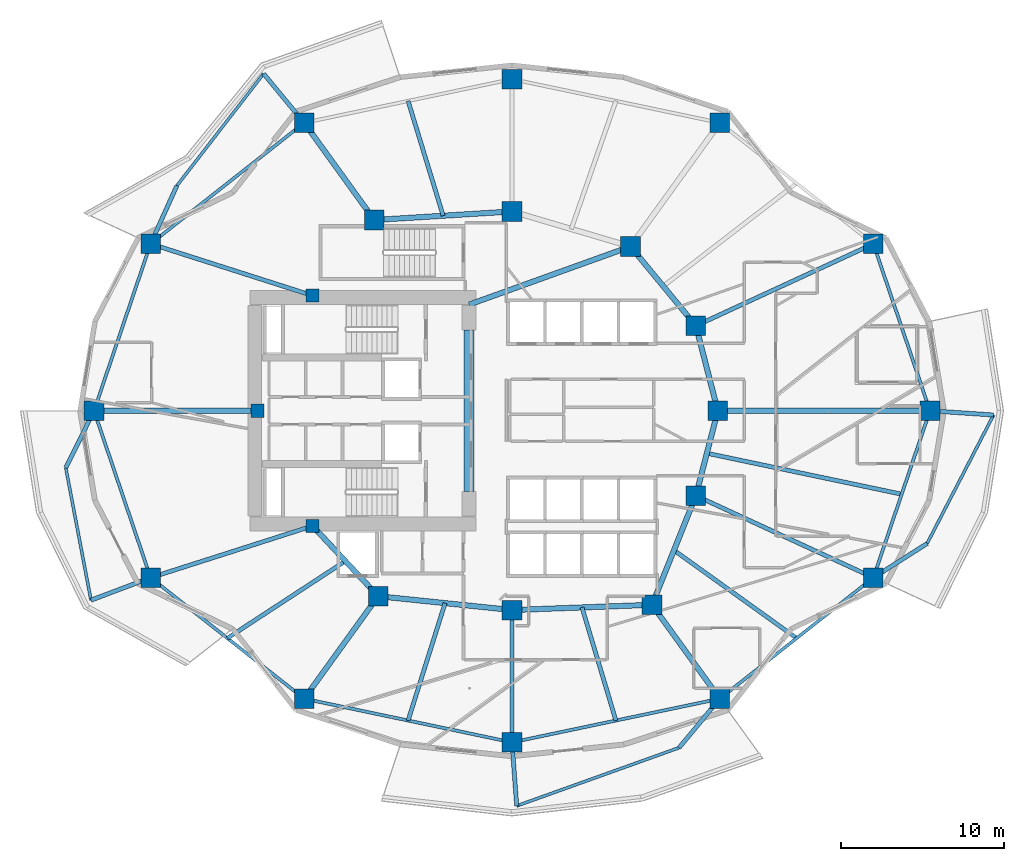
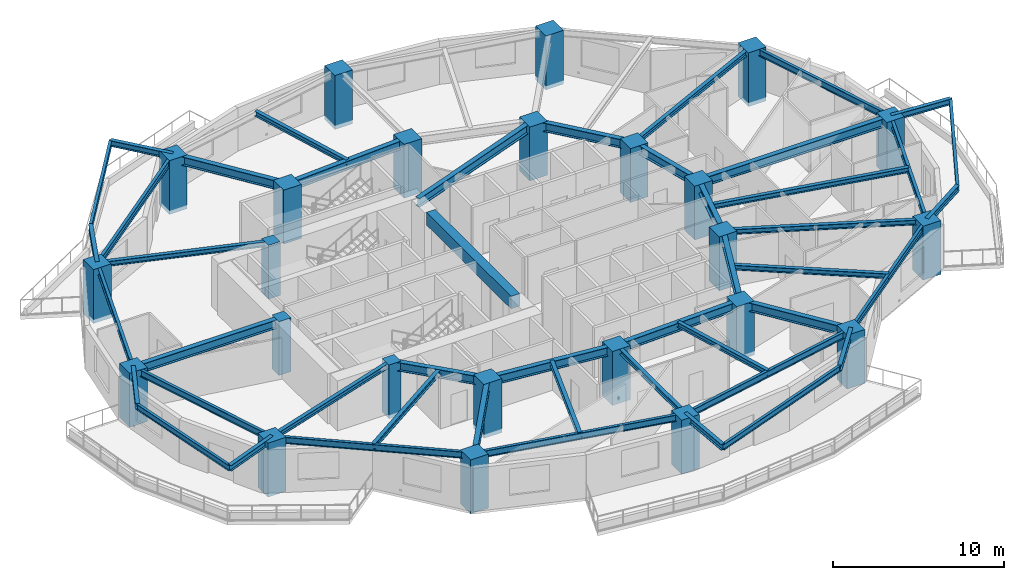
# One storey, part 1 of 16: 47 beams, 24 columns.
"""IFC4 building model written with IfcOpenShell, lengths in metres."""

from ifc_helpers import new_model, si_unit, direction, frame, origin, origin_2d, place, context, subcontext, project, spatial, rectangle, i_section, extrude, material, material_profile, profile_set, type_object, element, save


model = new_model("IFC4")

# Units and contexts
model_context = context("Model", 3, precision=1e-05, world=origin(), true_north=direction((0.0, 1.0)))
body_context = subcontext(model_context, "Body", "Model", "MODEL_VIEW")
ifc_project = project(units=[si_unit("LENGTHUNIT", "METRE"), si_unit("AREAUNIT", "SQUARE_METRE"), si_unit("VOLUMEUNIT", "CUBIC_METRE"), si_unit("PLANEANGLEUNIT", "RADIAN"), si_unit("MASSUNIT", "GRAM", prefix="KILO")], contexts=[model_context])

# Site, building, storey
site_placement = place(None, origin())
site = spatial("IfcSite", under=ifc_project, at=site_placement, CompositionType="ELEMENT")
building_placement = place(site_placement, origin())
building = spatial("IfcBuilding", under=site, at=building_placement, Name="Kolvaren Gate Tower and Convention Centre", CompositionType="ELEMENT")
storey_placement = place(building_placement, frame((0.0, 0.0, 65.0)))
storey = spatial("IfcBuildingStorey", under=building, at=storey_placement, Name="L15", CompositionType="ELEMENT", Elevation=65.0)

# Columns
ifc_material_1 = material(Name="Concrete C70/85", Category="concrete")
ifc_material_profile_1 = material_profile(ifc_material_1, rectangle(XDim=1.199951171875, YDim=1.199951171875, at=origin_2d()), Name="RC-COL-1200X1200")
ifc_profile_set_1 = profile_set([ifc_material_profile_1], Name="Concrete C70/85")
column_type_1 = type_object("IfcColumnType", Name="STR-COL-RC1200", PredefinedType="COLUMN", material=ifc_profile_set_1)
for number, where, z_axis, x_axis, name in (
    (1, (55.71240234375, 27.0, -0.280029296875), (0.0, 0.0, 1.0), (1.0, 0.0, 0.0), "Tower L15 Perimeter Supercolumn TP-01"),
    (2, (52.248779296875, 37.218505859375, -0.280029296875), (0.0, 0.0, 1.0), (1.0, 0.0, 0.0), "Tower L15 Perimeter Supercolumn TP-02"),
    (3, (42.846435546875, 44.627197265625, -0.280029296875), (0.0, 0.0, 1.0), (1.0, 0.0, 0.0), "Tower L15 Perimeter Supercolumn TP-03"),
    (4, (30.125, 47.300048828125, -0.280029296875), (0.0, 0.0, 1.0), (1.0, 0.0, 0.0), "Tower L15 Perimeter Supercolumn TP-04"),
    (5, (17.40380859375, 44.627197265625, -0.280029296875), (0.0, 0.0, 1.0), (1.0, 0.0, 0.0), "Tower L15 Perimeter Supercolumn TP-05"),
    (6, (8.001220703125, 37.218505859375, -0.280029296875), (0.0, 0.0, 1.0), (1.0, 0.0, 0.0), "Tower L15 Perimeter Supercolumn TP-06"),
    (7, (4.53759765625, 27.0, -0.280029296875), (0.0, 0.0, 1.0), (1.0, 0.0, 0.0), "Tower L15 Perimeter Supercolumn TP-07"),
    (8, (8.001220703125, 16.781494140625, -0.280029296875), (0.0, 0.0, 1.0), (1.0, 0.0, 0.0), "Tower L15 Perimeter Supercolumn TP-08"),
    (9, (17.403564453125, 9.372802734375, -0.280029296875), (0.0, 0.0, 1.0), (1.0, 0.0, 0.0), "Tower L15 Perimeter Supercolumn TP-09"),
    (10, (30.125, 6.699951171875, -0.280029296875), (0.0, 0.0, 1.0), (1.0, 0.0, 0.0), "Tower L15 Perimeter Supercolumn TP-10"),
    (11, (42.846435546875, 9.372802734375, -0.280029296875), (0.0, 0.0, 1.0), (1.0, 0.0, 0.0), "Tower L15 Perimeter Supercolumn TP-11"),
    (12, (52.248779296875, 16.781494140625, -0.280029296875), (0.0, 0.0, 1.0), (1.0, 0.0, 0.0), "Tower L15 Perimeter Supercolumn TP-12"),
    (13, (42.72509765625, 27.0, -0.280029296875), (0.0, 0.0, 1.0), (1.0, 0.0, 0.0), "Tower L15 Interior Column TI-01"),
    (14, (41.382080078125, 32.199462890625, -0.280029296875), (0.0, 0.0, 1.0), (1.0, 0.0, 0.0), "Tower L15 Interior Column TI-02"),
    (15, (37.381591796875, 37.054931640625, -0.280029296875), (0.0, 0.0, 1.0), (1.0, 0.0, 0.0), "Tower L15 Interior Column TI-03"),
    (16, (30.125, 39.199951171875, -0.280029296875), (0.0, 0.0, 1.0), (1.0, 0.0, 0.0), "Tower L15 Interior Column TI-04"),
    (17, (21.697998046875, 38.6767578125, -0.280029296875), (0.0, 0.0, 1.0), (1.0, 0.0, 0.0), "Tower L15 Interior Column TI-05"),
    (18, (21.93212890625, 15.647705078125, -0.280029296875), (0.0, 0.0, 1.0), (1.0, 0.0, 0.0), "Tower L15 Interior Column TI-06"),
    (19, (30.125, 14.800048828125, -0.280029296875), (0.0, 0.0, 1.0), (1.0, 0.0, 0.0), "Tower L15 Interior Column TI-07"),
    (20, (38.6982421875, 15.12060546875, -0.280029296875), (0.0, 0.0, 1.0), (1.0, 0.0, 0.0), "Tower L15 Interior Column TI-08"),
    (21, (41.382080078125, 21.800537109375, -0.280029296875), (0.0, 0.0, 1.0), (1.0, 0.0, 0.0), "Tower L15 Interior Column TI-09"),
):
    element("IfcColumn", number, at=place(storey_placement, frame(where, z_axis=z_axis, x_axis=x_axis)), inside=storey, type_object=column_type_1, Name=name, PredefinedType="COLUMN", context=body_context, shape_type="SweptSolid", body=[
        extrude(rectangle(XDim=1.199951171875, YDim=1.199951171875, at=origin_2d()), origin(), (0.0, 0.0, 1.0), 3.85009765625),
    ])
ifc_material_2 = material(Name="Concrete C60/75", Category="concrete")
ifc_material_profile_2 = material_profile(ifc_material_2, rectangle(XDim=0.800048828125, YDim=0.800048828125, at=origin_2d()), Name="RC-COL-800X800")
ifc_profile_set_2 = profile_set([ifc_material_profile_2], Name="Concrete C60/75")
column_type_2 = type_object("IfcColumnType", Name="STR-PIL-RC800", PredefinedType="PILASTER", material=ifc_profile_set_2)
for number, where, z_axis, x_axis, name in (
    (22, (17.9140625, 34.050048828125, -0.280029296875), (0.0, 0.0, 1.0), (1.0, 0.0, 0.0), "Tower L15 Core Boundary Pilaster TC-05"),
    (23, (14.550048828125, 27.0, -0.280029296875), (0.0, 0.0, 1.0), (1.0, 0.0, 0.0), "Tower L15 Core Boundary Pilaster TC-06"),
    (24, (17.9140625, 19.949951171875, -0.280029296875), (0.0, 0.0, 1.0), (1.0, 0.0, 0.0), "Tower L15 Core Boundary Pilaster TC-07"),
):
    element("IfcColumn", number, at=place(storey_placement, frame(where, z_axis=z_axis, x_axis=x_axis)), inside=storey, type_object=column_type_2, Name=name, PredefinedType="PILASTER", context=body_context, shape_type="SweptSolid", body=[
        extrude(rectangle(XDim=0.800048828125, YDim=0.800048828125, at=origin_2d()), origin(), (0.0, 0.0, 1.0), 3.85009765625),
    ])

# Beams
ifc_material_3 = material(Name="Structural steel ASTM A992 Grade 345 MPa", Category="steel")
ifc_material_profile_3 = material_profile(ifc_material_3, i_section(OverallWidth=0.260009765625, OverallDepth=0.419921875, WebThickness=0.013427734375, FlangeThickness=0.0224609375, at=origin_2d()), Name="W410X132")
ifc_profile_set_3 = profile_set([ifc_material_profile_3], Name="Structural steel ASTM A992 Grade 345 MPa")
beam_type_1 = type_object("IfcBeamType", Name="STR-BM-W410X132", PredefinedType="BEAM", material=ifc_profile_set_3)
beam_1_placement = place(storey_placement, frame((17.40380859375, 44.627197265625, 3.360595703125), z_axis=(-0.637082027361, 0.770796010896, 0.0), x_axis=(-0.770796010896, -0.637082027361, 0.0)))
element("IfcBeam", 25, at=beam_1_placement, inside=storey, type_object=beam_type_1, Name="Tower L16 Planted Balcony Outrigger Cantilever BC-1A", PredefinedType="BEAM", context=body_context, shape_type="SweptSolid", body=[
    extrude(i_section(OverallWidth=0.260009765625, OverallDepth=0.419921875, WebThickness=0.013427734375, FlangeThickness=0.0224609375, at=origin_2d()), origin(), (0.0, 0.0, 1.0), 3.89990234375),
])
beam_2_placement = place(storey_placement, frame((8.001220703125, 37.218505859375, 3.360595703125), z_axis=(0.411967423592, 0.911198574351, 0.0), x_axis=(-0.911198574351, 0.411967423592, 0.0)))
element("IfcBeam", 26, at=beam_2_placement, inside=storey, type_object=beam_type_1, Name="Tower L16 Planted Balcony Outrigger Cantilever BC-1B", PredefinedType="BEAM", context=body_context, shape_type="SweptSolid", body=[
    extrude(i_section(OverallWidth=0.260009765625, OverallDepth=0.419921875, WebThickness=0.013427734375, FlangeThickness=0.0224609375, at=origin_2d()), origin(), (0.0, 0.0, 1.0), 3.900146484375),
])
beam_3_placement = place(storey_placement, frame((4.53759765625, 27.0, 3.360595703125), z_axis=(-0.442775963142, -0.896632280516, 0.0), x_axis=(0.896632280516, -0.442775963142, 0.0)))
element("IfcBeam", 27, at=beam_3_placement, inside=storey, type_object=beam_type_1, Name="Tower L16 Planted Balcony Outrigger Cantilever BC-2A", PredefinedType="BEAM", context=body_context, shape_type="SweptSolid", body=[
    extrude(i_section(OverallWidth=0.260009765625, OverallDepth=0.419921875, WebThickness=0.013427734375, FlangeThickness=0.0224609375, at=origin_2d()), origin(), (0.0, 0.0, 1.0), 3.89990234375),
])
beam_4_placement = place(storey_placement, frame((8.001220703125, 16.781494140625, 3.360595703125), z_axis=(-0.935601718951, -0.353057252434, 0.0), x_axis=(0.353057252434, -0.935601718951, 0.0)))
element("IfcBeam", 28, at=beam_4_placement, inside=storey, type_object=beam_type_1, Name="Tower L16 Planted Balcony Outrigger Cantilever BC-2B", PredefinedType="BEAM", context=body_context, shape_type="SweptSolid", body=[
    extrude(i_section(OverallWidth=0.260009765625, OverallDepth=0.419921875, WebThickness=0.013427734375, FlangeThickness=0.0224609375, at=origin_2d()), origin(), (0.0, 0.0, 1.0), 3.900146484375),
])
beam_5_placement = place(storey_placement, frame((30.125, 6.699951171875, 3.360595703125), z_axis=(0.074182982185, -0.997244646591, 0.0), x_axis=(0.997244646591, 0.074182982185, 0.0)))
element("IfcBeam", 29, at=beam_5_placement, inside=storey, type_object=beam_type_1, Name="Tower L16 Planted Balcony Outrigger Cantilever BC-3A", PredefinedType="BEAM", context=body_context, shape_type="SweptSolid", body=[
    extrude(i_section(OverallWidth=0.260009765625, OverallDepth=0.419921875, WebThickness=0.013427734375, FlangeThickness=0.0224609375, at=origin_2d()), origin(), (0.0, 0.0, 1.0), 3.89990234375),
])
beam_6_placement = place(storey_placement, frame((42.846435546875, 9.372802734375, 3.360595703125), z_axis=(-0.639069265421, -0.769149188386, 0.0), x_axis=(0.769149188386, -0.639069265421, 0.0)))
element("IfcBeam", 30, at=beam_6_placement, inside=storey, type_object=beam_type_1, Name="Tower L16 Planted Balcony Outrigger Cantilever BC-3B", PredefinedType="BEAM", context=body_context, shape_type="SweptSolid", body=[
    extrude(i_section(OverallWidth=0.260009765625, OverallDepth=0.419921875, WebThickness=0.013427734375, FlangeThickness=0.0224609375, at=origin_2d()), origin(), (0.0, 0.0, 1.0), 3.900146484375),
])
beam_7_placement = place(storey_placement, frame((52.248779296875, 16.781494140625, 3.360595703125), z_axis=(0.843548050681, 0.537053708853, 0.0), x_axis=(-0.537053708853, 0.843548050681, 0.0)))
element("IfcBeam", 31, at=beam_7_placement, inside=storey, type_object=beam_type_1, Name="Tower L16 Planted Balcony Outrigger Cantilever BC-4A", PredefinedType="BEAM", context=body_context, shape_type="SweptSolid", body=[
    extrude(i_section(OverallWidth=0.260009765625, OverallDepth=0.419921875, WebThickness=0.013427734375, FlangeThickness=0.0224609375, at=origin_2d()), origin(), (0.0, 0.0, 1.0), 3.89990234375),
])
beam_8_placement = place(storey_placement, frame((55.71240234375, 27.0, 3.360595703125), z_axis=(0.997745931522, -0.067104814517, 0.0), x_axis=(0.067104814517, 0.997745931522, 0.0)))
element("IfcBeam", 32, at=beam_8_placement, inside=storey, type_object=beam_type_1, Name="Tower L16 Planted Balcony Outrigger Cantilever BC-4B", PredefinedType="BEAM", context=body_context, shape_type="SweptSolid", body=[
    extrude(i_section(OverallWidth=0.260009765625, OverallDepth=0.419921875, WebThickness=0.013427734375, FlangeThickness=0.0224609375, at=origin_2d()), origin(), (0.0, 0.0, 1.0), 3.900146484375),
])
ifc_material_profile_4 = material_profile(ifc_material_3, i_section(OverallWidth=0.327880859375, OverallDepth=0.6279296875, WebThickness=0.0166015625, FlangeThickness=0.027587890625, at=origin_2d()), Name="W610X217")
ifc_profile_set_4 = profile_set([ifc_material_profile_4], Name="Structural steel ASTM A992 Grade 345 MPa")
beam_type_2 = type_object("IfcBeamType", Name="STR-BM-W610X217", PredefinedType="BEAM", material=ifc_profile_set_4)
beam_9_placement = place(storey_placement, frame((42.72509765625, 27.0, 3.256103515625), z_axis=(-0.250091133936, -0.968222301296, 0.0), x_axis=(0.968222301296, -0.250091133936, 0.0)))
element("IfcBeam", 33, at=beam_9_placement, inside=storey, type_object=beam_type_2, Name="Tower L15 Primary Ring Girder G-01", PredefinedType="BEAM", context=body_context, shape_type="SweptSolid", body=[
    extrude(i_section(OverallWidth=0.327880859375, OverallDepth=0.6279296875, WebThickness=0.0166015625, FlangeThickness=0.027587890625, at=origin_2d()), origin(), (0.0, 0.0, 1.0), 5.3701171875),
])
beam_10_placement = place(storey_placement, frame((41.382080078125, 32.199462890625, 3.256103515625), z_axis=(-0.635884066011, 0.771784590798, 0.0), x_axis=(-0.771784590798, -0.635884066011, 0.0)))
element("IfcBeam", 34, at=beam_10_placement, inside=storey, type_object=beam_type_2, Name="Tower L15 Primary Ring Girder G-02", PredefinedType="BEAM", context=body_context, shape_type="SweptSolid", body=[
    extrude(i_section(OverallWidth=0.327880859375, OverallDepth=0.6279296875, WebThickness=0.0166015625, FlangeThickness=0.027587890625, at=origin_2d()), origin(), (0.0, 0.0, 1.0), 6.291259765625),
])
beam_11_placement = place(storey_placement, frame((30.125, 39.199951171875, 3.256103515625), z_axis=(-0.998078258568, -0.06196603726, 0.0), x_axis=(0.06196603726, -0.998078258568, 0.0)))
element("IfcBeam", 35, at=beam_11_placement, inside=storey, type_object=beam_type_2, Name="Tower L15 Primary Ring Girder G-04", PredefinedType="BEAM", context=body_context, shape_type="SweptSolid", body=[
    extrude(i_section(OverallWidth=0.327880859375, OverallDepth=0.6279296875, WebThickness=0.0166015625, FlangeThickness=0.027587890625, at=origin_2d()), origin(), (0.0, 0.0, 1.0), 8.443115234375),
])
beam_12_placement = place(storey_placement, frame((17.9140625, 19.949951171875, 3.256103515625), z_axis=(0.682557592987, -0.730831808459, 0.0), x_axis=(0.730831808459, 0.682557592987, 0.0)))
element("IfcBeam", 36, at=beam_12_placement, inside=storey, type_object=beam_type_2, Name="Tower L15 Primary Ring Girder G-06", PredefinedType="BEAM", context=body_context, shape_type="SweptSolid", body=[
    extrude(i_section(OverallWidth=0.327880859375, OverallDepth=0.6279296875, WebThickness=0.0166015625, FlangeThickness=0.027587890625, at=origin_2d()), origin(), (0.0, 0.0, 1.0), 5.88671875),
])
beam_13_placement = place(storey_placement, frame((21.93212890625, 15.647705078125, 3.256103515625), z_axis=(0.994690329115, -0.102913308978, 0.0), x_axis=(0.102913308978, 0.994690329115, 0.0)))
element("IfcBeam", 37, at=beam_13_placement, inside=storey, type_object=beam_type_2, Name="Tower L15 Primary Ring Girder G-07", PredefinedType="BEAM", context=body_context, shape_type="SweptSolid", body=[
    extrude(i_section(OverallWidth=0.327880859375, OverallDepth=0.6279296875, WebThickness=0.0166015625, FlangeThickness=0.027587890625, at=origin_2d()), origin(), (0.0, 0.0, 1.0), 8.236572265625),
])
beam_14_placement = place(storey_placement, frame((30.125, 14.800048828125, 3.256103515625), z_axis=(0.999301712453, 0.037364254142, 0.0), x_axis=(-0.037364254142, 0.999301712453, 0.0)))
element("IfcBeam", 38, at=beam_14_placement, inside=storey, type_object=beam_type_2, Name="Tower L15 Primary Ring Girder G-08", PredefinedType="BEAM", context=body_context, shape_type="SweptSolid", body=[
    extrude(i_section(OverallWidth=0.327880859375, OverallDepth=0.6279296875, WebThickness=0.0166015625, FlangeThickness=0.027587890625, at=origin_2d()), origin(), (0.0, 0.0, 1.0), 8.579345703125),
])
beam_15_placement = place(storey_placement, frame((38.6982421875, 15.12060546875, 3.256103515625), z_axis=(0.372811100169, 0.927907260232, 0.0), x_axis=(-0.927907260232, 0.372811100169, 0.0)))
element("IfcBeam", 39, at=beam_15_placement, inside=storey, type_object=beam_type_2, Name="Tower L15 Primary Ring Girder G-09", PredefinedType="BEAM", context=body_context, shape_type="SweptSolid", body=[
    extrude(i_section(OverallWidth=0.327880859375, OverallDepth=0.6279296875, WebThickness=0.0166015625, FlangeThickness=0.027587890625, at=origin_2d()), origin(), (0.0, 0.0, 1.0), 7.198974609375),
])
beam_16_placement = place(storey_placement, frame((27.5, 33.5, 3.256103515625), z_axis=(0.940961479908, 0.338513653093, 0.0), x_axis=(-0.338513653093, 0.940961479908, 0.0)))
element("IfcBeam", 40, at=beam_16_placement, inside=storey, type_object=beam_type_2, Name="Tower L15 Primary Ring Girder G-10", PredefinedType="BEAM", context=body_context, shape_type="SweptSolid", body=[
    extrude(i_section(OverallWidth=0.327880859375, OverallDepth=0.6279296875, WebThickness=0.0166015625, FlangeThickness=0.027587890625, at=origin_2d()), origin(), (0.0, 0.0, 1.0), 10.501708984375),
])
beam_17_placement = place(storey_placement, frame((42.72509765625, 27.0, 3.256103515625), z_axis=(-0.250091133936, 0.968222301296, 0.0), x_axis=(-0.968222301296, -0.250091133936, 0.0)))
element("IfcBeam", 41, at=beam_17_placement, inside=storey, type_object=beam_type_2, Name="Tower L15 Primary Ring Girder G-12", PredefinedType="BEAM", context=body_context, shape_type="SweptSolid", body=[
    extrude(i_section(OverallWidth=0.327880859375, OverallDepth=0.6279296875, WebThickness=0.0166015625, FlangeThickness=0.027587890625, at=origin_2d()), origin(), (0.0, 0.0, 1.0), 5.3701171875),
])
beam_18_placement = place(storey_placement, frame((42.72509765625, 27.0, 3.256103515625), z_axis=(1.0, 0.0, 0.0), x_axis=(0.0, 1.0, 0.0)))
element("IfcBeam", 42, at=beam_18_placement, inside=storey, type_object=beam_type_2, Name="Tower L15 Radial Floor Girder RB-01", PredefinedType="BEAM", context=body_context, shape_type="SweptSolid", body=[
    extrude(i_section(OverallWidth=0.327880859375, OverallDepth=0.6279296875, WebThickness=0.0166015625, FlangeThickness=0.027587890625, at=origin_2d()), origin(), (0.0, 0.0, 1.0), 12.9873046875),
])
beam_19_placement = place(storey_placement, frame((21.697998046875, 38.6767578125, 3.256103515625), z_axis=(-0.585190474102, 0.810895868173, 0.0), x_axis=(-0.810895868173, -0.585190474102, 0.0)))
element("IfcBeam", 43, at=beam_19_placement, inside=storey, type_object=beam_type_2, Name="Tower L15 Radial Floor Girder RB-05", PredefinedType="BEAM", context=body_context, shape_type="SweptSolid", body=[
    extrude(i_section(OverallWidth=0.327880859375, OverallDepth=0.6279296875, WebThickness=0.0166015625, FlangeThickness=0.027587890625, at=origin_2d()), origin(), (0.0, 0.0, 1.0), 7.338134765625),
])
beam_20_placement = place(storey_placement, frame((14.550048828125, 27.0, 3.256103515625), z_axis=(-1.0, 0.0, 0.0), x_axis=(0.0, -1.0, 0.0)))
element("IfcBeam", 44, at=beam_20_placement, inside=storey, type_object=beam_type_2, Name="Tower L15 Radial Floor Girder RB-07", PredefinedType="BEAM", context=body_context, shape_type="SweptSolid", body=[
    extrude(i_section(OverallWidth=0.327880859375, OverallDepth=0.6279296875, WebThickness=0.0166015625, FlangeThickness=0.027587890625, at=origin_2d()), origin(), (0.0, 0.0, 1.0), 10.012451171875),
])
beam_21_placement = place(storey_placement, frame((21.93212890625, 15.647705078125, 3.256103515625), z_axis=(-0.585209453994, -0.810882170821, 0.0), x_axis=(0.810882170821, -0.585209453994, 0.0)))
element("IfcBeam", 45, at=beam_21_placement, inside=storey, type_object=beam_type_2, Name="Tower L15 Radial Floor Girder RB-09", PredefinedType="BEAM", context=body_context, shape_type="SweptSolid", body=[
    extrude(i_section(OverallWidth=0.327880859375, OverallDepth=0.6279296875, WebThickness=0.0166015625, FlangeThickness=0.027587890625, at=origin_2d()), origin(), (0.0, 0.0, 1.0), 7.73828125),
])
beam_22_placement = place(storey_placement, frame((38.6982421875, 15.12060546875, 3.256103515625), z_axis=(0.585212604054, -0.81087989743, 0.0), x_axis=(0.81087989743, 0.585212604054, 0.0)))
element("IfcBeam", 46, at=beam_22_placement, inside=storey, type_object=beam_type_2, Name="Tower L15 Radial Floor Girder RB-11", PredefinedType="BEAM", context=body_context, shape_type="SweptSolid", body=[
    extrude(i_section(OverallWidth=0.327880859375, OverallDepth=0.6279296875, WebThickness=0.0166015625, FlangeThickness=0.027587890625, at=origin_2d()), origin(), (0.0, 0.0, 1.0), 7.08837890625),
])
ifc_material_profile_5 = material_profile(ifc_material_3, i_section(OverallWidth=0.2548828125, OverallDepth=0.35693359375, WebThickness=0.010498046875, FlangeThickness=0.018310546875, at=origin_2d()), Name="W360X101")
ifc_profile_set_5 = profile_set([ifc_material_profile_5], Name="Structural steel ASTM A992 Grade 345 MPa")
beam_type_3 = type_object("IfcBeamType", Name="STR-JS-W360X101", PredefinedType="JOIST", material=ifc_profile_set_5)
beam_23_placement = place(storey_placement, frame((41.382080078125, 32.199462890625, 3.3916015625), z_axis=(0.907843538102, 0.419309086864, 0.0), x_axis=(-0.419309086864, 0.907843538102, 0.0)))
element("IfcBeam", 47, at=beam_23_placement, inside=storey, type_object=beam_type_3, Name="Tower L15 Radial Floor Girder RB-02", PredefinedType="JOIST", context=body_context, shape_type="SweptSolid", body=[
    extrude(i_section(OverallWidth=0.2548828125, OverallDepth=0.35693359375, WebThickness=0.010498046875, FlangeThickness=0.018310546875, at=origin_2d()), origin(), (0.0, 0.0, 1.0), 11.9697265625),
])
for number, where, z_axis, x_axis, name in (
    (48, (17.9140625, 34.050048828125, 3.3916015625), (-0.952525967456, 0.304457355507, 0.0), (-0.304457355507, -0.952525967456, 0.0), "Tower L15 Radial Floor Girder RB-06"),
    (49, (17.9140625, 19.949951171875, 3.3916015625), (-0.952525967456, -0.304457355507, 0.0), (0.304457355507, -0.952525967456, 0.0), "Tower L15 Radial Floor Girder RB-08"),
):
    element("IfcBeam", number, at=place(storey_placement, frame(where, z_axis=z_axis, x_axis=x_axis)), inside=storey, type_object=beam_type_3, Name=name, PredefinedType="JOIST", context=body_context, shape_type="SweptSolid", body=[
        extrude(i_section(OverallWidth=0.2548828125, OverallDepth=0.35693359375, WebThickness=0.010498046875, FlangeThickness=0.018310546875, at=origin_2d()), origin(), (0.0, 0.0, 1.0), 10.406982421875),
    ])
beam_24_placement = place(storey_placement, frame((30.125, 14.800048828125, 3.3916015625), z_axis=(0.0, -1.0, 0.0), x_axis=(1.0, 0.0, 0.0)))
element("IfcBeam", 50, at=beam_24_placement, inside=storey, type_object=beam_type_3, Name="Tower L15 Radial Floor Girder RB-10", PredefinedType="JOIST", context=body_context, shape_type="SweptSolid", body=[
    extrude(i_section(OverallWidth=0.2548828125, OverallDepth=0.35693359375, WebThickness=0.010498046875, FlangeThickness=0.018310546875, at=origin_2d()), origin(), (0.0, 0.0, 1.0), 8.10009765625),
])
beam_25_placement = place(storey_placement, frame((41.382080078125, 21.800537109375, 3.3916015625), z_axis=(0.907843538102, -0.419309086864, 0.0), x_axis=(0.419309086864, 0.907843538102, 0.0)))
element("IfcBeam", 51, at=beam_25_placement, inside=storey, type_object=beam_type_3, Name="Tower L15 Radial Floor Girder RB-12", PredefinedType="JOIST", context=body_context, shape_type="SweptSolid", body=[
    extrude(i_section(OverallWidth=0.2548828125, OverallDepth=0.35693359375, WebThickness=0.010498046875, FlangeThickness=0.018310546875, at=origin_2d()), origin(), (0.0, 0.0, 1.0), 11.9697265625),
])
beam_26_placement = place(storey_placement, frame((25.91162109375, 38.938232421875, 3.3916015625), z_axis=(-0.292298748053, 0.956327058012, 0.0), x_axis=(-0.956327058012, -0.292298748053, 0.0)))
element("IfcBeam", 52, at=beam_26_placement, inside=storey, type_object=beam_type_3, Name="Tower L15 Secondary Composite Floor Joist J-04.1", PredefinedType="JOIST", context=body_context, shape_type="SweptSolid", body=[
    extrude(i_section(OverallWidth=0.2548828125, OverallDepth=0.35693359375, WebThickness=0.010498046875, FlangeThickness=0.018310546875, at=origin_2d()), origin(), (0.0, 0.0, 1.0), 7.345947265625),
])
beam_27_placement = place(storey_placement, frame((19.923095703125, 17.798828125, 3.3916015625), z_axis=(-0.836945684387, -0.547285959428, 0.0), x_axis=(0.547285959428, -0.836945684387, 0.0)))
element("IfcBeam", 53, at=beam_27_placement, inside=storey, type_object=beam_type_3, Name="Tower L15 Secondary Composite Floor Joist J-08.1", PredefinedType="JOIST", context=body_context, shape_type="SweptSolid", body=[
    extrude(i_section(OverallWidth=0.2548828125, OverallDepth=0.35693359375, WebThickness=0.010498046875, FlangeThickness=0.018310546875, at=origin_2d()), origin(), (0.0, 0.0, 1.0), 8.62744140625),
])
beam_28_placement = place(storey_placement, frame((26.028564453125, 15.223876953125, 3.3916015625), z_axis=(-0.300467647472, -0.953792007108, 0.0), x_axis=(0.953792007108, -0.300467647472, 0.0)))
element("IfcBeam", 54, at=beam_28_placement, inside=storey, type_object=beam_type_3, Name="Tower L15 Secondary Composite Floor Joist J-09.1", PredefinedType="JOIST", context=body_context, shape_type="SweptSolid", body=[
    extrude(i_section(OverallWidth=0.2548828125, OverallDepth=0.35693359375, WebThickness=0.010498046875, FlangeThickness=0.018310546875, at=origin_2d()), origin(), (0.0, 0.0, 1.0), 7.535400390625),
])
beam_29_placement = place(storey_placement, frame((34.41162109375, 14.960205078125, 3.3916015625), z_axis=(0.286954287166, -0.957944276603, 0.0), x_axis=(0.957944276603, 0.286954287166, 0.0)))
element("IfcBeam", 55, at=beam_29_placement, inside=storey, type_object=beam_type_3, Name="Tower L15 Secondary Composite Floor Joist J-10.1", PredefinedType="JOIST", context=body_context, shape_type="SweptSolid", body=[
    extrude(i_section(OverallWidth=0.2548828125, OverallDepth=0.35693359375, WebThickness=0.010498046875, FlangeThickness=0.018310546875, at=origin_2d()), origin(), (0.0, 0.0, 1.0), 7.2275390625),
])
beam_30_placement = place(storey_placement, frame((40.040283203125, 18.46044921875, 3.3916015625), z_axis=(0.812660683761, -0.582737173234, 0.0), x_axis=(0.582737173234, 0.812660683761, 0.0)))
element("IfcBeam", 56, at=beam_30_placement, inside=storey, type_object=beam_type_3, Name="Tower L15 Secondary Composite Floor Joist J-11.1", PredefinedType="JOIST", context=body_context, shape_type="SweptSolid", body=[
    extrude(i_section(OverallWidth=0.2548828125, OverallDepth=0.35693359375, WebThickness=0.010498046875, FlangeThickness=0.018310546875, at=origin_2d()), origin(), (0.0, 0.0, 1.0), 9.238037109375),
])
beam_31_placement = place(storey_placement, frame((42.0537109375, 24.400146484375, 3.3916015625), z_axis=(0.978573369431, -0.205898423114, 0.0), x_axis=(0.205898423114, 0.978573369431, 0.0)))
element("IfcBeam", 57, at=beam_31_placement, inside=storey, type_object=beam_type_3, Name="Tower L15 Secondary Composite Floor Joist J-12.1", PredefinedType="JOIST", context=body_context, shape_type="SweptSolid", body=[
    extrude(i_section(OverallWidth=0.2548828125, OverallDepth=0.35693359375, WebThickness=0.010498046875, FlangeThickness=0.018310546875, at=origin_2d()), origin(), (0.0, 0.0, 1.0), 12.188232421875),
])
ifc_material_profile_6 = material_profile(ifc_material_2, rectangle(XDim=0.60009765625, YDim=0.89990234375, at=origin_2d()), Name="RC-BM-600X900")
ifc_profile_set_6 = profile_set([ifc_material_profile_6], Name="Concrete C60/75")
beam_type_4 = type_object("IfcBeamType", Name="STR-LN-RC600X900", PredefinedType="LINTEL", material=ifc_profile_set_6)
beam_32_placement = place(storey_placement, frame((27.5, 22.050048828125, 3.1201171875), z_axis=(0.0, 1.0, 0.0), x_axis=(-1.0, 0.0, 0.0)))
element("IfcBeam", 58, at=beam_32_placement, inside=storey, type_object=beam_type_4, Name="Tower L15 Core Ductile Coupling Beam CB-01", PredefinedType="LINTEL", context=body_context, shape_type="SweptSolid", body=[
    extrude(rectangle(XDim=0.60009765625, YDim=0.89990234375, at=origin_2d()), origin(), (0.0, 0.0, 1.0), 9.89990234375),
])
ifc_material_profile_7 = material_profile(ifc_material_3, i_section(OverallWidth=0.180908203125, OverallDepth=0.4169921875, WebThickness=0.010986328125, FlangeThickness=0.018310546875, at=origin_2d()), Name="W410X85")
ifc_profile_set_7 = profile_set([ifc_material_profile_7], Name="Structural steel ASTM A992 Grade 345 MPa")
beam_type_5 = type_object("IfcBeamType", Name="STR-SP-W410X85", PredefinedType="SPANDREL", material=ifc_profile_set_7)
beam_33_placement = place(storey_placement, frame((14.919189453125, 47.63330078125, 3.362060546875), z_axis=(-0.61213516889, -0.790753144166, 0.0), x_axis=(0.790753144166, -0.61213516889, 0.0)))
element("IfcBeam", 59, at=beam_33_placement, inside=storey, type_object=beam_type_5, Name="Tower L16 Planted Balcony Header Tie Beam BT-1", PredefinedType="SPANDREL", context=body_context, shape_type="SweptSolid", body=[
    extrude(i_section(OverallWidth=0.180908203125, OverallDepth=0.4169921875, WebThickness=0.010986328125, FlangeThickness=0.018310546875, at=origin_2d()), origin(), (0.0, 0.0, 1.0), 8.6767578125),
])
beam_34_placement = place(storey_placement, frame((2.810791015625, 23.503173828125, 3.362060546875), z_axis=(0.186984188423, -0.982362923404, 0.0), x_axis=(0.982362923404, 0.186984188423, 0.0)))
element("IfcBeam", 60, at=beam_34_placement, inside=storey, type_object=beam_type_5, Name="Tower L16 Planted Balcony Header Tie Beam BT-2", PredefinedType="SPANDREL", context=body_context, shape_type="SweptSolid", body=[
    extrude(i_section(OverallWidth=0.180908203125, OverallDepth=0.4169921875, WebThickness=0.010986328125, FlangeThickness=0.018310546875, at=origin_2d()), origin(), (0.0, 0.0, 1.0), 8.244140625),
])
beam_35_placement = place(storey_placement, frame((30.414306640625, 2.810791015625, 3.362060546875), z_axis=(0.941370443611, 0.337374699549, 0.0), x_axis=(-0.337374699549, 0.941370443611, 0.0)))
element("IfcBeam", 61, at=beam_35_placement, inside=storey, type_object=beam_type_5, Name="Tower L16 Planted Balcony Header Tie Beam BT-3", PredefinedType="SPANDREL", context=body_context, shape_type="SweptSolid", body=[
    extrude(i_section(OverallWidth=0.180908203125, OverallDepth=0.4169921875, WebThickness=0.010986328125, FlangeThickness=0.018310546875, at=origin_2d()), origin(), (0.0, 0.0, 1.0), 10.558837890625),
])
beam_36_placement = place(storey_placement, frame((55.53857421875, 18.8759765625, 3.362060546875), z_axis=(0.459287093639, 0.888287884425, 0.0), x_axis=(-0.888287884425, 0.459287093639, 0.0)))
element("IfcBeam", 62, at=beam_36_placement, inside=storey, type_object=beam_type_5, Name="Tower L16 Planted Balcony Header Tie Beam BT-4", PredefinedType="SPANDREL", context=body_context, shape_type="SweptSolid", body=[
    extrude(i_section(OverallWidth=0.180908203125, OverallDepth=0.4169921875, WebThickness=0.010986328125, FlangeThickness=0.018310546875, at=origin_2d()), origin(), (0.0, 0.0, 1.0), 8.85107421875),
])
ifc_material_profile_8 = material_profile(ifc_material_3, i_section(OverallWidth=0.194091796875, OverallDepth=0.468994140625, WebThickness=0.0126953125, FlangeThickness=0.0205078125, at=origin_2d()), Name="W460X106")
ifc_profile_set_8 = profile_set([ifc_material_profile_8], Name="Structural steel ASTM A992 Grade 345 MPa")
beam_type_6 = type_object("IfcBeamType", Name="STR-SP-W460X106", PredefinedType="SPANDREL", material=ifc_profile_set_8)
beam_37_placement = place(storey_placement, frame((55.71240234375, 27.0, 3.33544921875), z_axis=(-0.321016233787, 0.947073691771, 0.0), x_axis=(-0.947073691771, -0.321016233787, 0.0)))
element("IfcBeam", 63, at=beam_37_placement, inside=storey, type_object=beam_type_6, Name="Tower L15 Perimeter Spandrel Beam SP-01", PredefinedType="SPANDREL", context=body_context, shape_type="SweptSolid", body=[
    extrude(i_section(OverallWidth=0.194091796875, OverallDepth=0.468994140625, WebThickness=0.0126953125, FlangeThickness=0.0205078125, at=origin_2d()), origin(), (0.0, 0.0, 1.0), 10.78955078125),
])
beam_38_placement = place(storey_placement, frame((17.40380859375, 44.627197265625, 3.33544921875), z_axis=(-0.785467636887, -0.618902731778, 0.0), x_axis=(0.618902731778, -0.785467636887, 0.0)))
element("IfcBeam", 64, at=beam_38_placement, inside=storey, type_object=beam_type_6, Name="Tower L15 Perimeter Spandrel Beam SP-05", PredefinedType="SPANDREL", context=body_context, shape_type="SweptSolid", body=[
    extrude(i_section(OverallWidth=0.194091796875, OverallDepth=0.468994140625, WebThickness=0.0126953125, FlangeThickness=0.0205078125, at=origin_2d()), origin(), (0.0, 0.0, 1.0), 11.970703125),
])
for number, where, z_axis, x_axis, name in (
    (65, (8.001220703125, 37.218505859375, 3.33544921875), (-0.321016233787, -0.947073691771, 0.0), (0.947073691771, -0.321016233787, 0.0), "Tower L15 Perimeter Spandrel Beam SP-06"),
    (66, (4.53759765625, 27.0, 3.33544921875), (0.321016233787, -0.947073691771, 0.0), (0.947073691771, 0.321016233787, 0.0), "Tower L15 Perimeter Spandrel Beam SP-07"),
):
    element("IfcBeam", number, at=place(storey_placement, frame(where, z_axis=z_axis, x_axis=x_axis)), inside=storey, type_object=beam_type_6, Name=name, PredefinedType="SPANDREL", context=body_context, shape_type="SweptSolid", body=[
        extrude(i_section(OverallWidth=0.194091796875, OverallDepth=0.468994140625, WebThickness=0.0126953125, FlangeThickness=0.0205078125, at=origin_2d()), origin(), (0.0, 0.0, 1.0), 10.78955078125),
    ])
beam_39_placement = place(storey_placement, frame((8.001220703125, 16.781494140625, 3.33544921875), z_axis=(0.785459824636, -0.618912646407, 0.0), x_axis=(0.618912646407, 0.785459824636, 0.0)))
element("IfcBeam", 67, at=beam_39_placement, inside=storey, type_object=beam_type_6, Name="Tower L15 Perimeter Spandrel Beam SP-08", PredefinedType="SPANDREL", context=body_context, shape_type="SweptSolid", body=[
    extrude(i_section(OverallWidth=0.194091796875, OverallDepth=0.468994140625, WebThickness=0.0126953125, FlangeThickness=0.0205078125, at=origin_2d()), origin(), (0.0, 0.0, 1.0), 11.970458984375),
])
for number, where, z_axis, x_axis, name in (
    (68, (17.403564453125, 9.372802734375, 3.33544921875), (0.978632602148, -0.205616706552, 0.0), (0.205616706552, 0.978632602148, 0.0), "Tower L15 Perimeter Spandrel Beam SP-09"),
    (69, (30.125, 6.699951171875, 3.33544921875), (0.978632602148, 0.205616706552, 0.0), (-0.205616706552, 0.978632602148, 0.0), "Tower L15 Perimeter Spandrel Beam SP-10"),
):
    element("IfcBeam", number, at=place(storey_placement, frame(where, z_axis=z_axis, x_axis=x_axis)), inside=storey, type_object=beam_type_6, Name=name, PredefinedType="SPANDREL", context=body_context, shape_type="SweptSolid", body=[
        extrude(i_section(OverallWidth=0.194091796875, OverallDepth=0.468994140625, WebThickness=0.0126953125, FlangeThickness=0.0205078125, at=origin_2d()), origin(), (0.0, 0.0, 1.0), 12.999267578125),
    ])
beam_40_placement = place(storey_placement, frame((42.846435546875, 9.372802734375, 3.33544921875), z_axis=(0.785459824636, 0.618912646407, 0.0), x_axis=(-0.618912646407, 0.785459824636, 0.0)))
element("IfcBeam", 70, at=beam_40_placement, inside=storey, type_object=beam_type_6, Name="Tower L15 Perimeter Spandrel Beam SP-11", PredefinedType="SPANDREL", context=body_context, shape_type="SweptSolid", body=[
    extrude(i_section(OverallWidth=0.194091796875, OverallDepth=0.468994140625, WebThickness=0.0126953125, FlangeThickness=0.0205078125, at=origin_2d()), origin(), (0.0, 0.0, 1.0), 11.970458984375),
])
beam_41_placement = place(storey_placement, frame((52.248779296875, 16.781494140625, 3.33544921875), z_axis=(0.321016233787, 0.947073691771, 0.0), x_axis=(-0.947073691771, 0.321016233787, 0.0)))
element("IfcBeam", 71, at=beam_41_placement, inside=storey, type_object=beam_type_6, Name="Tower L15 Perimeter Spandrel Beam SP-12", PredefinedType="SPANDREL", context=body_context, shape_type="SweptSolid", body=[
    extrude(i_section(OverallWidth=0.194091796875, OverallDepth=0.468994140625, WebThickness=0.0126953125, FlangeThickness=0.0205078125, at=origin_2d()), origin(), (0.0, 0.0, 1.0), 10.78955078125),
])

save(model, "model.ifc")
